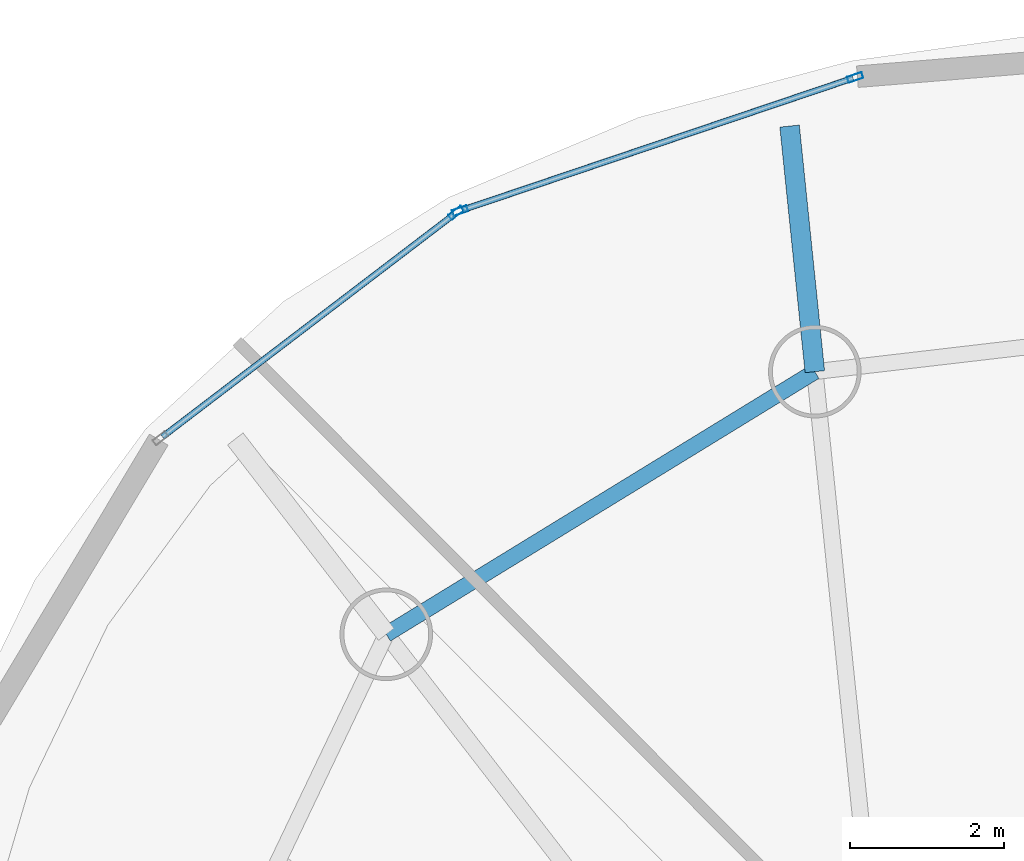
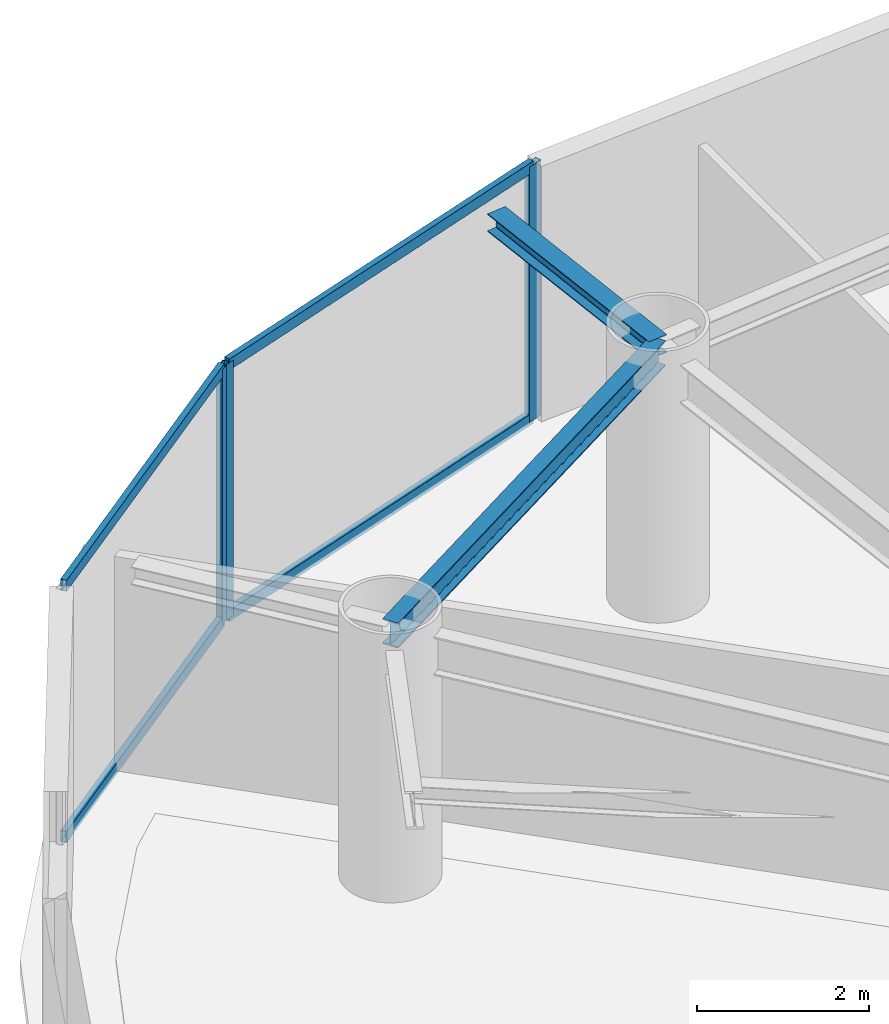
# One storey, part 10 of 19: 7 members, 2 beams, 2 elements without a shape of their own.
"""IFC4 building model written with IfcOpenShell, lengths in metres."""

from ifc_helpers import new_model, si_unit, direction, frame, origin, origin_2d, place, context, subcontext, project, spatial, hollow_rectangle, i_section, extrude, material, layer, layer_set, material_profile, profile_set, type_object, element, aggregate, save


model = new_model("IFC4")

# Units and contexts
model_context = context("Model", 3, precision=1e-05, world=origin(), true_north=direction((0.0, 1.0)))
body_context = subcontext(model_context, "Body", "Model", "MODEL_VIEW")
ifc_project = project(units=[si_unit("LENGTHUNIT", "METRE"), si_unit("AREAUNIT", "SQUARE_METRE"), si_unit("VOLUMEUNIT", "CUBIC_METRE"), si_unit("PLANEANGLEUNIT", "RADIAN"), si_unit("MASSUNIT", "GRAM", prefix="KILO")], contexts=[model_context])

# Site, building, storey
site_placement = place(None, origin())
site = spatial("IfcSite", under=ifc_project, at=site_placement, CompositionType="ELEMENT")
building_placement = place(site_placement, origin())
building = spatial("IfcBuilding", under=site, at=building_placement, Name="Bramvorn Convention Spire", CompositionType="ELEMENT")
storey_placement = place(building_placement, frame((0.0, 0.0, 198.14990234375)))
storey = spatial("IfcBuildingStorey", under=building, at=storey_placement, Name="L50", CompositionType="ELEMENT", Elevation=198.14990234375)

# Beams
ifc_material_1 = material(Name="Steel CSA G40.21 Grade 350 (350W)", Category="steel")
ifc_material_profile_1 = material_profile(ifc_material_1, i_section(OverallWidth=0.25390625, OverallDepth=0.2529296875, WebThickness=0.008544921875, FlangeThickness=0.01416015625, FilletRadius=0.011962890625, at=origin_2d()))
ifc_profile_set_1 = profile_set([ifc_material_profile_1], Name="Steel CSA G40.21 Grade 350 (350W) - W250X73")
beam_type_1 = type_object("IfcBeamType", Name="BM-W250X73", PredefinedType="BEAM", material=ifc_profile_set_1)
beam_1_placement = place(storey_placement, frame((25.49560546875, 45.663818359375, 3.49365234375), z_axis=(-0.10223018875, 0.994760769486, 0.0), x_axis=(-0.994760769486, -0.10223018875, 0.0)))
element("IfcBeam", 1, at=beam_1_placement, inside=storey, type_object=beam_type_1, Name="L50 slab-edge cantilever tip beam MC08", PredefinedType="BEAM", context=body_context, shape_type="SweptSolid", body=[
    extrude(i_section(OverallWidth=0.25390625, OverallDepth=0.2529296875, WebThickness=0.008544921875, FlangeThickness=0.01416015625, FilletRadius=0.011962890625, at=origin_2d()), origin(), (0.0, 0.0, 1.0), 3.2001953125),
])
ifc_material_profile_2 = material_profile(ifc_material_1, i_section(OverallWidth=0.205078125, OverallDepth=0.35400390625, WebThickness=0.009521484375, FlangeThickness=0.016845703125, FilletRadius=0.014892578125, at=origin_2d()))
ifc_profile_set_2 = profile_set([ifc_material_profile_2], Name="Steel CSA G40.21 Grade 350 (350W) - W360X79")
beam_type_2 = type_object("IfcBeamType", Name="BM-W360X79", PredefinedType="JOIST", material=ifc_profile_set_2)
beam_2_placement = place(storey_placement, frame((25.49560546875, 45.663818359375, 3.443115234375), z_axis=(-0.852616873135, -0.522536570629, 0.0), x_axis=(0.522536570629, -0.852616873135, 0.0)))
element("IfcBeam", 2, at=beam_2_placement, inside=storey, type_object=beam_type_2, Name="L50 mega-column ring beam 08", PredefinedType="JOIST", context=body_context, shape_type="SweptSolid", body=[
    extrude(i_section(OverallWidth=0.205078125, OverallDepth=0.35400390625, WebThickness=0.009521484375, FlangeThickness=0.016845703125, FilletRadius=0.014892578125, at=origin_2d()), origin(), (0.0, 0.0, 1.0), 6.513916015625),
])

# Curtain wall, members
ifc_material_2 = material(Name="Anodised Bronze Unitised Curtain Wall", Category="aluminium")
ifc_layer = layer(ifc_material_2, 0.179931640625)
ifc_layer_set = layer_set([ifc_layer], Name="Anodised Bronze Unitised Curtain Wall - CW-OFF-FRIT")
curtain_wall_type = type_object("IfcCurtainWallType", Name="CW-OFF-FRIT", PredefinedType="USERDEFINED", material=ifc_layer_set)
curtain_wall_1_placement = place(storey_placement, origin())
curtain_wall_1 = element("IfcCurtainWall", 3, at=curtain_wall_1_placement, inside=storey, type_object=curtain_wall_type, Name="L50 fritted glass curtain wall 11", ObjectType="UNITISED CURTAIN WALL", PredefinedType="USERDEFINED")
ifc_material_3 = material(Name="Anodised Bronze Aluminium 6063-T6", Category="aluminium")
ifc_material_profile_3 = material_profile(ifc_material_3, hollow_rectangle(XDim=0.080078125, YDim=0.199951171875, WallThickness=0.00390625, InnerFilletRadius=0.0009765625, OuterFilletRadius=0.00390625, at=origin_2d()))
ifc_profile_set_3 = profile_set([ifc_material_profile_3], Name="Anodised Bronze Aluminium 6063-T6 - CWM80X200")
member_type_1 = type_object("IfcMemberType", Name="CW-MUL-180", PredefinedType="MULLION", material=ifc_profile_set_3)
member_1_placement = place(storey_placement, frame((20.898193359375, 47.749755859375, 0.0), z_axis=(0.0, 0.0, 1.0), x_axis=(-0.319717241728, 0.947513000091, 0.0)))
member_1 = element("IfcMember", 4, at=member_1_placement, type_object=member_type_1, Name="CW3 mullion 1", PredefinedType="MULLION", context=body_context, shape_type="SweptSolid", body=[
    extrude(hollow_rectangle(XDim=0.080078125, YDim=0.199951171875, WallThickness=0.00390625, InnerFilletRadius=0.0009765625, OuterFilletRadius=0.00390625, at=origin_2d()), origin(), (0.0, 0.0, 1.0), 3.6201171875),
])
member_2_placement = place(storey_placement, frame((26.01904296875, 49.4775390625, 0.0), z_axis=(0.0, 0.0, 1.0), x_axis=(-0.319717241728, 0.947513000091, 0.0)))
member_2 = element("IfcMember", 5, at=member_2_placement, type_object=member_type_1, Name="CW3 mullion 2", PredefinedType="MULLION", context=body_context, shape_type="SweptSolid", body=[
    extrude(hollow_rectangle(XDim=0.080078125, YDim=0.199951171875, WallThickness=0.00390625, InnerFilletRadius=0.0009765625, OuterFilletRadius=0.00390625, at=origin_2d()), origin(), (0.0, 0.0, 1.0), 3.6201171875),
])

# Curtain wall, member
curtain_wall_2_placement = place(storey_placement, origin())
curtain_wall_2 = element("IfcCurtainWall", 6, at=curtain_wall_2_placement, inside=storey, type_object=curtain_wall_type, Name="L50 fritted glass curtain wall 12", ObjectType="UNITISED CURTAIN WALL", PredefinedType="USERDEFINED")
member_3_placement = place(storey_placement, frame((20.845947265625, 47.721923828125, 0.0), z_axis=(0.0, 0.0, 1.0), x_axis=(-0.606450933935, 0.795120912018, 0.0)))
member_3 = element("IfcMember", 7, at=member_3_placement, type_object=member_type_1, Name="CW3 mullion 2", PredefinedType="MULLION", context=body_context, shape_type="SweptSolid", body=[
    extrude(hollow_rectangle(XDim=0.080078125, YDim=0.199951171875, WallThickness=0.00390625, InnerFilletRadius=0.0009765625, OuterFilletRadius=0.00390625, at=origin_2d()), origin(), (0.0, 0.0, 1.0), 3.6201171875),
])

# Member
ifc_material_profile_4 = material_profile(ifc_material_3, hollow_rectangle(XDim=0.080078125, YDim=0.159912109375, WallThickness=0.00390625, InnerFilletRadius=0.0009765625, OuterFilletRadius=0.00390625, at=origin_2d()))
ifc_profile_set_4 = profile_set([ifc_material_profile_4], Name="Anodised Bronze Aluminium 6063-T6 - CWT80X160")
member_type_2 = type_object("IfcMemberType", Name="CW-TRN-150", PredefinedType="USERDEFINED", material=ifc_profile_set_4)
member_4_placement = place(storey_placement, frame((20.926513671875, 47.75927734375, 0.030029296875), z_axis=(0.947512000236, 0.319720204881, 0.0), x_axis=(-0.319720204881, 0.947512000236, 0.0)))
member_4 = element("IfcMember", 8, at=member_4_placement, type_object=member_type_2, Name="CW3 transom 1.1", ObjectType="TRANSOM", PredefinedType="USERDEFINED", context=body_context, shape_type="SweptSolid", body=[
    extrude(hollow_rectangle(XDim=0.080078125, YDim=0.159912109375, WallThickness=0.00390625, InnerFilletRadius=0.0009765625, OuterFilletRadius=0.00390625, at=origin_2d()), origin(), (0.0, 0.0, 1.0), 5.344482421875),
])

member_5_placement = place(storey_placement, frame((20.926513671875, 47.75927734375, 3.590087890625), z_axis=(0.947512000236, 0.319720204881, 0.0), x_axis=(-0.319720204881, 0.947512000236, 0.0)))
member_5 = element("IfcMember", 9, at=member_5_placement, type_object=member_type_2, Name="CW3 transom 1.2", ObjectType="TRANSOM", PredefinedType="USERDEFINED", context=body_context, shape_type="SweptSolid", body=[
    extrude(hollow_rectangle(XDim=0.080078125, YDim=0.159912109375, WallThickness=0.00390625, InnerFilletRadius=0.0009765625, OuterFilletRadius=0.00390625, at=origin_2d()), origin(), (0.0, 0.0, 1.0), 5.344482421875),
])

aggregate(curtain_wall_1, [member_1, member_2, member_4, member_5])

member_6_placement = place(storey_placement, frame((17.040283203125, 44.8193359375, 0.030029296875), z_axis=(0.795132321518, 0.606435974591, 0.0), x_axis=(-0.606435974591, 0.795132321518, 0.0)))
member_6 = element("IfcMember", 10, at=member_6_placement, type_object=member_type_2, Name="CW3 transom 1.1", ObjectType="TRANSOM", PredefinedType="USERDEFINED", context=body_context, shape_type="SweptSolid", body=[
    extrude(hollow_rectangle(XDim=0.080078125, YDim=0.159912109375, WallThickness=0.00390625, InnerFilletRadius=0.0009765625, OuterFilletRadius=0.00390625, at=origin_2d()), origin(), (0.0, 0.0, 1.0), 4.756103515625),
])

member_7_placement = place(storey_placement, frame((17.040283203125, 44.8193359375, 3.590087890625), z_axis=(0.795132321518, 0.606435974591, 0.0), x_axis=(-0.606435974591, 0.795132321518, 0.0)))
member_7 = element("IfcMember", 11, at=member_7_placement, type_object=member_type_2, Name="CW3 transom 1.2", ObjectType="TRANSOM", PredefinedType="USERDEFINED", context=body_context, shape_type="SweptSolid", body=[
    extrude(hollow_rectangle(XDim=0.080078125, YDim=0.159912109375, WallThickness=0.00390625, InnerFilletRadius=0.0009765625, OuterFilletRadius=0.00390625, at=origin_2d()), origin(), (0.0, 0.0, 1.0), 4.756103515625),
])

aggregate(curtain_wall_2, [member_3, member_6, member_7])

save(model, "model.ifc")
